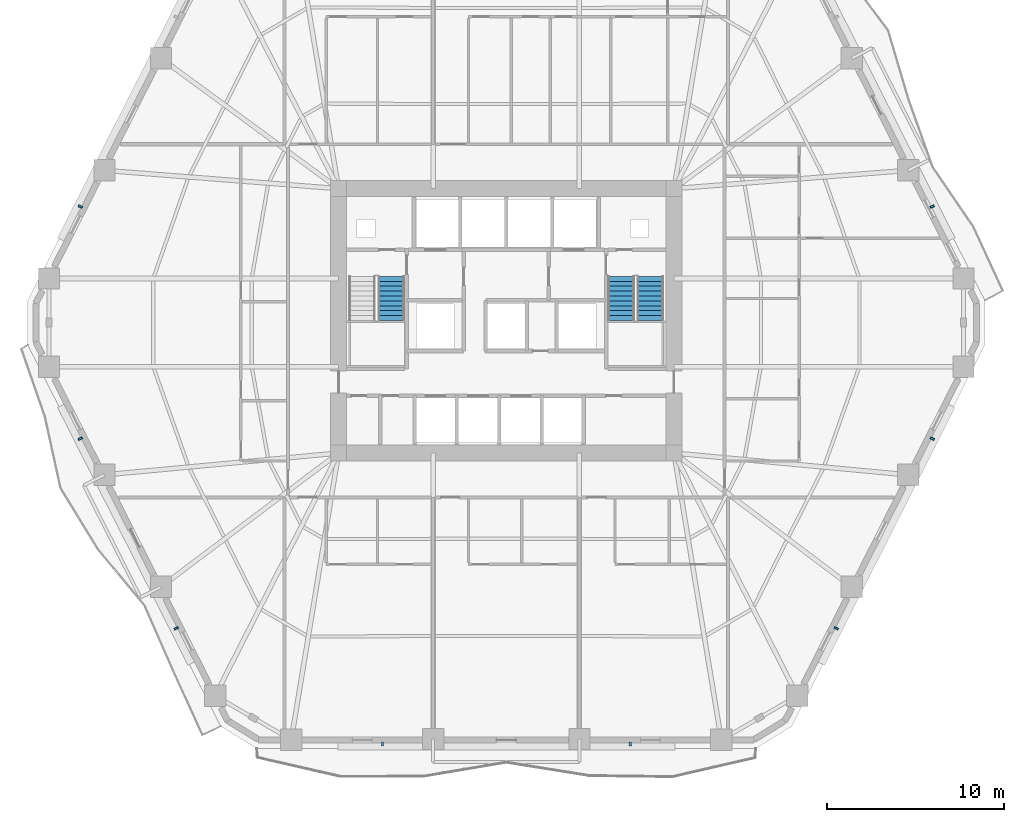
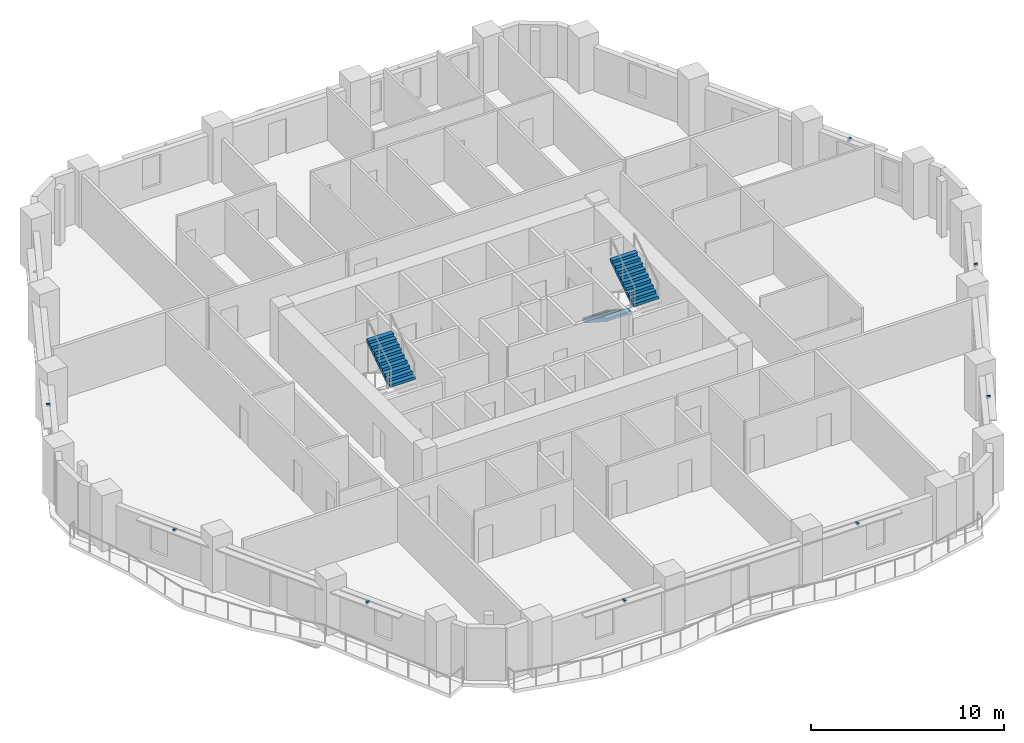
# One storey, part 8 of 13: 8 discrete accessories, 3 stair flights, 2 elements without a shape of their own.
"""IFC4 building model written with IfcOpenShell, lengths in metres."""

from ifc_helpers import new_model, si_unit, direction, frame, origin, origin_2d, place, context, subcontext, project, spatial, polyline, rectangle, outline, extrude, material, type_object, element, aggregate, save


model = new_model("IFC4")

# Units and contexts
model_context = context("Model", 3, precision=1e-05, world=origin(), true_north=direction((0.0, 1.0)))
body_context = subcontext(model_context, "Body", "Model", "MODEL_VIEW")
ifc_project = project(units=[si_unit("LENGTHUNIT", "METRE"), si_unit("AREAUNIT", "SQUARE_METRE"), si_unit("VOLUMEUNIT", "CUBIC_METRE"), si_unit("PLANEANGLEUNIT", "RADIAN"), si_unit("MASSUNIT", "GRAM", prefix="KILO")], contexts=[model_context])

# Site, building, storey
site_placement = place(None, origin())
site = spatial("IfcSite", under=ifc_project, at=site_placement, CompositionType="ELEMENT")
building_placement = place(site_placement, origin())
building = spatial("IfcBuilding", under=site, at=building_placement, Name="Cinnabar Lancet Tower", CompositionType="ELEMENT")
storey_placement = place(building_placement, frame((0.0, 0.0, 63.949951171875)))
storey = spatial("IfcBuildingStorey", under=building, at=storey_placement, Name="L16", CompositionType="ELEMENT", Elevation=63.949951171875)

# Stair, stair flight
ifc_material_1 = material(Name="Concrete C40/50", Category="concrete")
stair_type = type_object("IfcStairType", Name="ST-CORE", PredefinedType="HALF_TURN_STAIR", material=ifc_material_1)
stair_1_placement = place(storey_placement, origin())
stair_1 = element("IfcStair", 1, at=stair_1_placement, inside=storey, type_object=stair_type, Name="L16 ST-1", PredefinedType="HALF_TURN_STAIR")
ifc_material_2 = material(Name="Concrete C40/50", Category="concrete")
stair_flight_type = type_object("IfcStairFlightType", Name="FLIGHT-CORE", PredefinedType="STRAIGHT", material=ifc_material_2)
stair_flight_1_placement = place(storey_placement, frame((25.925048828125, 25.925048828125, 1.775146484375), z_axis=(0.0, 0.0, 1.0), x_axis=(0.0, 1.0, 0.0)))
stair_flight_1 = element("IfcStairFlight", 2, at=stair_flight_1_placement, type_object=stair_flight_type, Name="ST-1 flight 2", NumberOfRisers=10, NumberOfTreads=9, PredefinedType="STRAIGHT", RiserHeight=0.1775, TreadLength=0.275, context=body_context, shape_type="SweptSolid", body=[
    extrude(outline(polyline([(0.0, 0.0), (0.0, 0.177490234375), (0.27490234375, 0.177490234375), (0.27490234375, 0.35498046875), (0.550048828125, 0.35498046875), (0.550048828125, 0.532470703125), (0.824951171875, 0.532470703125), (0.824951171875, 0.7099609375), (1.10009765625, 0.7099609375), (1.10009765625, 0.887451171875), (1.375, 0.887451171875), (1.375, 1.06494140625), (1.64990234375, 1.06494140625), (1.64990234375, 1.242431640625), (1.925048828125, 1.242431640625), (1.925048828125, 1.419921875), (2.199951171875, 1.419921875), (2.199951171875, 1.597412109375), (2.47509765625, 1.597412109375), (2.47509765625, 1.77490234375), (2.47509765625, 1.419189453125), (0.2763671875, 0.0), (0.0, 0.0)])), frame((0.0, 0.75, 0.0), z_axis=(0.0, -1.0, 0.0), x_axis=(1.0, 0.0, 0.0)), (0.0, 0.0, 1.0), 1.5),
])
aggregate(stair_1, [stair_flight_1])

# Stair, stair flights
stair_2_placement = place(storey_placement, origin())
stair_2 = element("IfcStair", 3, at=stair_2_placement, inside=storey, type_object=stair_type, Name="L16 ST-2", PredefinedType="HALF_TURN_STAIR")
stair_flight_2_placement = place(storey_placement, frame((38.875, 28.39990234375, 0.0), z_axis=(0.0, 0.0, 1.0), x_axis=(0.0, -1.0, 0.0)))
stair_flight_2 = element("IfcStairFlight", 4, at=stair_flight_2_placement, type_object=stair_flight_type, Name="ST-2 flight 1", NumberOfRisers=10, NumberOfTreads=9, PredefinedType="STRAIGHT", RiserHeight=0.1775, TreadLength=0.275, context=body_context, shape_type="SweptSolid", body=[
    extrude(outline(polyline([(0.0, 0.0), (0.0, 0.177490234375), (0.27490234375, 0.177490234375), (0.27490234375, 0.35498046875), (0.550048828125, 0.35498046875), (0.550048828125, 0.532470703125), (0.824951171875, 0.532470703125), (0.824951171875, 0.7099609375), (1.10009765625, 0.7099609375), (1.10009765625, 0.887451171875), (1.375, 0.887451171875), (1.375, 1.06494140625), (1.64990234375, 1.06494140625), (1.64990234375, 1.242431640625), (1.925048828125, 1.242431640625), (1.925048828125, 1.419921875), (2.199951171875, 1.419921875), (2.199951171875, 1.597412109375), (2.47509765625, 1.597412109375), (2.47509765625, 1.77490234375), (2.47509765625, 1.419189453125), (0.2763671875, 0.0), (0.0, 0.0)])), frame((0.0, 0.75, 0.0), z_axis=(0.0, -1.0, 0.0), x_axis=(1.0, 0.0, 0.0)), (0.0, 0.0, 1.0), 1.5),
])
stair_flight_3_placement = place(storey_placement, frame((40.52490234375, 25.925048828125, 1.775146484375), z_axis=(0.0, 0.0, 1.0), x_axis=(0.0, 1.0, 0.0)))
stair_flight_3 = element("IfcStairFlight", 5, at=stair_flight_3_placement, type_object=stair_flight_type, Name="ST-2 flight 2", NumberOfRisers=10, NumberOfTreads=9, PredefinedType="STRAIGHT", RiserHeight=0.1775, TreadLength=0.275, context=body_context, shape_type="SweptSolid", body=[
    extrude(outline(polyline([(0.0, 0.0), (0.0, 0.177490234375), (0.27490234375, 0.177490234375), (0.27490234375, 0.35498046875), (0.550048828125, 0.35498046875), (0.550048828125, 0.532470703125), (0.824951171875, 0.532470703125), (0.824951171875, 0.7099609375), (1.10009765625, 0.7099609375), (1.10009765625, 0.887451171875), (1.375, 0.887451171875), (1.375, 1.06494140625), (1.64990234375, 1.06494140625), (1.64990234375, 1.242431640625), (1.925048828125, 1.242431640625), (1.925048828125, 1.419921875), (2.199951171875, 1.419921875), (2.199951171875, 1.597412109375), (2.47509765625, 1.597412109375), (2.47509765625, 1.77490234375), (2.47509765625, 1.419189453125), (0.2763671875, 0.0), (0.0, 0.0)])), frame((0.0, 0.75, 0.0), z_axis=(0.0, -1.0, 0.0), x_axis=(1.0, 0.0, 0.0)), (0.0, 0.0, 1.0), 1.5),
])
aggregate(stair_2, [stair_flight_2, stair_flight_3])

# Discrete accessories
ifc_material_3 = material(Name="Stainless steel 316 facade fixing bracket", Category="steel")
discrete_accessory_type = type_object("IfcDiscreteAccessoryType", Name="ENV-ACC-BRK-180", PredefinedType="BRACKET", material=ifc_material_3)
for number, where, z_axis, x_axis, name in (
    (6, (25.4169921875, 2.06005859375, 2.60009765625), (0.0, 0.0, 1.0), (1.0, 0.0, 0.0), "L16 Face 1 Sunshade Bracket A"),
    (7, (39.383056640625, 2.06005859375, 2.60009765625), (0.0, 0.0, 1.0), (1.0, 0.0, 0.0), "L16 Face 1 Sunshade Bracket B"),
    (8, (50.993896484375, 8.5791015625, 2.60009765625), (0.0, 0.0, 1.0), (0.451500573218, 0.892270829056, 0.0), "L16 Face 2 Sunshade Bracket A"),
    (9, (56.39892578125, 19.260009765625, 2.60009765625), (0.0, 0.0, 1.0), (0.451500573218, 0.892270829056, 0.0), "L16 Face 2 Sunshade Bracket B"),
    (10, (56.39892578125, 32.340087890625, 2.60009765625), (0.0, 0.0, 1.0), (-0.451500573218, 0.892270829056, 0.0), "L16 Face 3 Sunshade Bracket A"),
    (11, (8.40087890625, 32.340087890625, 2.60009765625), (0.0, 0.0, 1.0), (-0.451500573218, -0.892270829056, 0.0), "L16 Face 5 Sunshade Bracket B"),
    (12, (8.40087890625, 19.260009765625, 2.60009765625), (0.0, 0.0, 1.0), (0.451500573218, -0.892270829056, 0.0), "L16 Face 6 Sunshade Bracket A"),
    (13, (13.805908203125, 8.5791015625, 2.60009765625), (0.0, 0.0, 1.0), (0.451500573218, -0.892270829056, 0.0), "L16 Face 6 Sunshade Bracket B"),
):
    element("IfcDiscreteAccessory", number, at=place(storey_placement, frame(where, z_axis=z_axis, x_axis=x_axis)), inside=storey, type_object=discrete_accessory_type, Name=name, PredefinedType="BRACKET", context=body_context, shape_type="SweptSolid", body=[
        extrude(rectangle(XDim=0.1201171875, YDim=0.239990234375, at=origin_2d()), origin(), (0.0, 0.0, 1.0), 0.159912109375),
    ])

save(model, "model.ifc")
